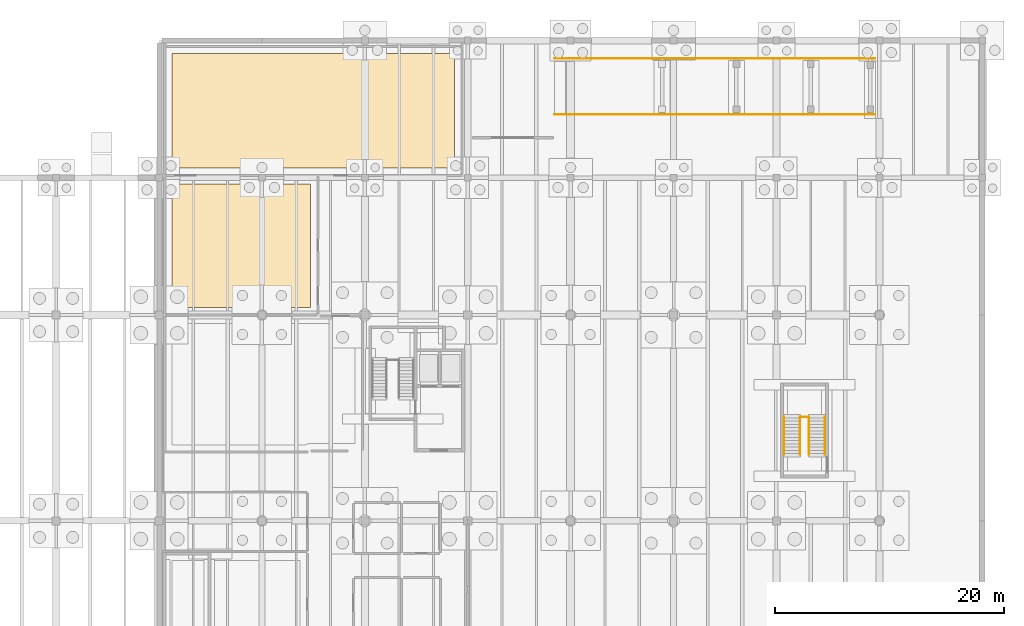
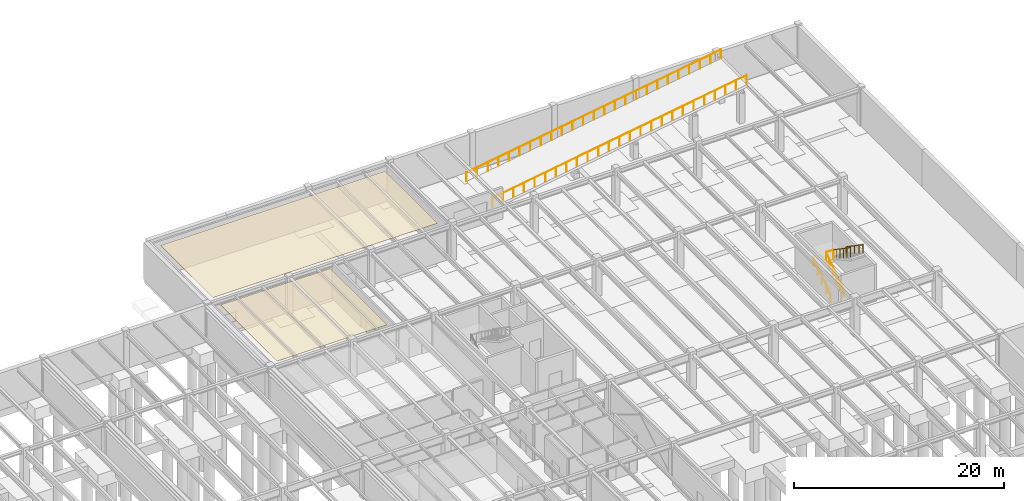
# One storey, part 39 of 40: 7 railings, 2 coverings.
"""IFC4 building model written with IfcOpenShell, lengths in metres."""

from ifc_helpers import new_model, si_unit, direction, frame, origin, origin_2d, place, context, subcontext, project, spatial, polyline, circle, outline, extrude, material, layer, layer_set, type_object, element, save


model = new_model("IFC4")

# Units and contexts
model_context = context("Model", 3, precision=1e-05, world=origin(), true_north=direction((0.0, 1.0)))
body_context = subcontext(model_context, "Body", "Model", "MODEL_VIEW")
ifc_project = project(units=[si_unit("LENGTHUNIT", "METRE"), si_unit("AREAUNIT", "SQUARE_METRE"), si_unit("VOLUMEUNIT", "CUBIC_METRE"), si_unit("PLANEANGLEUNIT", "RADIAN"), si_unit("MASSUNIT", "GRAM", prefix="KILO")], contexts=[model_context])

# Site, building, storey
site_placement = place(None, origin())
site = spatial("IfcSite", under=ifc_project, at=site_placement, CompositionType="ELEMENT")
building_placement = place(site_placement, origin())
building = spatial("IfcBuilding", under=site, at=building_placement, Name="Montelvaro Courts of Justice", CompositionType="ELEMENT")
storey_placement = place(building_placement, frame((0.0, 0.0, -4.5)))
storey = spatial("IfcBuildingStorey", under=building, at=storey_placement, Name="B01", CompositionType="ELEMENT", Elevation=-4.5)

# Coverings
ifc_material_1 = material(Name="Perforated acoustic gypsum ceiling")
ifc_layer = layer(ifc_material_1, 0.0400390625)
ifc_layer_set = layer_set([ifc_layer], Name="Perforated acoustic gypsum ceiling")
covering_type = type_object("IfcCoveringType", Name="AcousticCeiling_Court", PredefinedType="CEILING", material=ifc_layer_set)
covering_1_placement = place(storey_placement, frame((0.0, 0.0, 4.02001953125)))
element("IfcCovering", 1, at=covering_1_placement, inside=storey, type_object=covering_type, Name="Acoustic Ceiling Panel AC-01 (B01-08)", PredefinedType="CEILING", context=body_context, shape_type="SweptSolid", body=[
    extrude(outline(polyline([(100.14990234375, 108.85009765625), (100.14990234375, 118.85009765625), (124.85009765625, 118.85009765625), (124.85009765625, 108.85009765625), (100.14990234375, 108.85009765625)])), origin(), (0.0, 0.0, 1.0), 0.0400390625),
])
covering_2_placement = place(storey_placement, frame((0.0, 0.0, 4.02001953125)))
element("IfcCovering", 2, at=covering_2_placement, inside=storey, type_object=covering_type, Name="Acoustic Ceiling Panel AC-01 (B01-10)", PredefinedType="CEILING", context=body_context, shape_type="SweptSolid", body=[
    extrude(outline(polyline([(112.25, 107.449951171875), (112.25, 96.64990234375), (100.14990234375, 96.64990234375), (100.14990234375, 107.449951171875), (112.25, 107.449951171875)])), origin(), (0.0, 0.0, 1.0), 0.0400390625),
])

# Railings
ifc_material_2 = material(Name="Steel S355", Category="steel")
railing_type_1 = type_object("IfcRailingType", Name="InteriorGuard_1100", PredefinedType="BALUSTRADE", material=ifc_material_2)
railing_1_placement = place(storey_placement, frame((155.06005859375, 83.800048828125, 0.0)))
element("IfcRailing", 3, at=railing_1_placement, inside=storey, type_object=railing_type_1, Name="Stair Well Guard GR-02 ST-V2-B01-F1G", PredefinedType="BALUSTRADE", context=body_context, shape_type="SweptSolid", body=[
    extrude(circle(Radius=0.02392578125, at=origin_2d()), frame((0.0, 0.0, 1.076171875), z_axis=(0.0, 0.823407228882, 0.567450910146), x_axis=(-1.0, 0.0, 0.0)), (0.0, 0.0, 1.0), 3.965087890625),
    extrude(circle(Radius=0.02099609375, at=origin_2d()), origin(), (0.0, 0.0, 1.0), 1.052001953125),
    extrude(circle(Radius=0.02099609375, at=origin_2d()), frame((0.0, 0.653076171875, 0.449951171875)), (0.0, 0.0, 1.0), 1.052001953125),
    extrude(circle(Radius=0.02099609375, at=origin_2d()), frame((0.0, 1.305908203125, 0.89990234375)), (0.0, 0.0, 1.0), 1.052001953125),
    extrude(circle(Radius=0.02099609375, at=origin_2d()), frame((0.0, 1.958984375, 1.35009765625)), (0.0, 0.0, 1.0), 1.052001953125),
    extrude(circle(Radius=0.02099609375, at=origin_2d()), frame((0.0, 2.61181640625, 1.800048828125)), (0.0, 0.0, 1.0), 1.052001953125),
    extrude(circle(Radius=0.02099609375, at=origin_2d()), frame((0.0, 3.264892578125, 2.25)), (0.0, 0.0, 1.0), 1.052001953125),
])
railing_2_placement = place(storey_placement, frame((155.840087890625, 87.06494140625, 2.25)))
element("IfcRailing", 4, at=railing_2_placement, inside=storey, type_object=railing_type_1, Name="Stair Well Guard GR-02 ST-V2-B01-F2G", PredefinedType="BALUSTRADE", context=body_context, shape_type="SweptSolid", body=[
    extrude(circle(Radius=0.02392578125, at=origin_2d()), frame((0.0, 0.0, 1.076171875), z_axis=(0.0, -0.823407228882, 0.567450910146), x_axis=(1.0, 0.0, 0.0)), (0.0, 0.0, 1.0), 3.965087890625),
    extrude(circle(Radius=0.02099609375, at=origin_2d()), origin(), (0.0, 0.0, 1.0), 1.052001953125),
    extrude(circle(Radius=0.02099609375, at=origin_2d()), frame((0.0, -0.653076171875, 0.449951171875)), (0.0, 0.0, 1.0), 1.052001953125),
    extrude(circle(Radius=0.02099609375, at=origin_2d()), frame((0.0, -1.305908203125, 0.89990234375)), (0.0, 0.0, 1.0), 1.052001953125),
    extrude(circle(Radius=0.02099609375, at=origin_2d()), frame((0.0, -1.958984375, 1.35009765625)), (0.0, 0.0, 1.0), 1.052001953125),
    extrude(circle(Radius=0.02099609375, at=origin_2d()), frame((0.0, -2.61181640625, 1.800048828125)), (0.0, 0.0, 1.0), 1.052001953125),
    extrude(circle(Radius=0.02099609375, at=origin_2d()), frame((0.0, -3.264892578125, 2.25)), (0.0, 0.0, 1.0), 1.052001953125),
])
railing_3_placement = place(storey_placement, frame((155.06005859375, 87.06494140625, 2.25)))
element("IfcRailing", 5, at=railing_3_placement, inside=storey, type_object=railing_type_1, Name="Stair Well Guard GR-02 ST-V2-B01-MLG", PredefinedType="BALUSTRADE", context=body_context, shape_type="SweptSolid", body=[
    extrude(circle(Radius=0.02392578125, at=origin_2d()), frame((0.0, 0.0, 1.076171875), z_axis=(1.0, 0.0, 0.0), x_axis=(0.0, 1.0, 0.0)), (0.0, 0.0, 1.0), 0.780029296875),
    extrude(circle(Radius=0.02099609375, at=origin_2d()), origin(), (0.0, 0.0, 1.0), 1.052001953125),
    extrude(circle(Radius=0.02099609375, at=origin_2d()), frame((0.780029296875, 0.0, 0.0)), (0.0, 0.0, 1.0), 1.052001953125),
])
railing_4_placement = place(storey_placement, frame((133.60009765625, 113.550048828125, 0.0)))
element("IfcRailing", 6, at=railing_4_placement, inside=storey, type_object=railing_type_1, Name="Vehicle Ramp Guard GR-02 VR-01-S", PredefinedType="BALUSTRADE", context=body_context, shape_type="SweptSolid", body=[
    extrude(circle(Radius=0.02392578125, at=origin_2d()), frame((0.0, 0.0, 1.076171875), z_axis=(0.987330371277, 0.0, 0.158678095384), x_axis=(0.0, 1.0, 0.0)), (0.0, 0.0, 1.0), 28.359375),
    extrude(circle(Radius=0.02099609375, at=origin_2d()), origin(), (0.0, 0.0, 1.0), 1.052001953125),
    extrude(circle(Radius=0.02099609375, at=origin_2d()), frame((1.166748046875, 0.0, 0.1875)), (0.0, 0.0, 1.0), 1.052001953125),
    extrude(circle(Radius=0.02099609375, at=origin_2d()), frame((2.333251953125, 0.0, 0.375)), (0.0, 0.0, 1.0), 1.052001953125),
    extrude(circle(Radius=0.02099609375, at=origin_2d()), frame((3.5, 0.0, 0.5625)), (0.0, 0.0, 1.0), 1.052001953125),
    extrude(circle(Radius=0.02099609375, at=origin_2d()), frame((4.666748046875, 0.0, 0.75)), (0.0, 0.0, 1.0), 1.052001953125),
    extrude(circle(Radius=0.02099609375, at=origin_2d()), frame((5.833251953125, 0.0, 0.9375)), (0.0, 0.0, 1.0), 1.052001953125),
    extrude(circle(Radius=0.02099609375, at=origin_2d()), frame((7.0, 0.0, 1.125)), (0.0, 0.0, 1.0), 1.052001953125),
    extrude(circle(Radius=0.02099609375, at=origin_2d()), frame((8.166748046875, 0.0, 1.3125)), (0.0, 0.0, 1.0), 1.052001953125),
    extrude(circle(Radius=0.02099609375, at=origin_2d()), frame((9.333251953125, 0.0, 1.5)), (0.0, 0.0, 1.0), 1.052001953125),
    extrude(circle(Radius=0.02099609375, at=origin_2d()), frame((10.5, 0.0, 1.6875)), (0.0, 0.0, 1.0), 1.052001953125),
    extrude(circle(Radius=0.02099609375, at=origin_2d()), frame((11.666748046875, 0.0, 1.875)), (0.0, 0.0, 1.0), 1.052001953125),
    extrude(circle(Radius=0.02099609375, at=origin_2d()), frame((12.833251953125, 0.0, 2.0625)), (0.0, 0.0, 1.0), 1.052001953125),
    extrude(circle(Radius=0.02099609375, at=origin_2d()), frame((14.0, 0.0, 2.25)), (0.0, 0.0, 1.0), 1.052001953125),
    extrude(circle(Radius=0.02099609375, at=origin_2d()), frame((15.166748046875, 0.0, 2.4375)), (0.0, 0.0, 1.0), 1.052001953125),
    extrude(circle(Radius=0.02099609375, at=origin_2d()), frame((16.333251953125, 0.0, 2.625)), (0.0, 0.0, 1.0), 1.052001953125),
    extrude(circle(Radius=0.02099609375, at=origin_2d()), frame((17.5, 0.0, 2.8125)), (0.0, 0.0, 1.0), 1.052001953125),
    extrude(circle(Radius=0.02099609375, at=origin_2d()), frame((18.666748046875, 0.0, 3.0)), (0.0, 0.0, 1.0), 1.052001953125),
    extrude(circle(Radius=0.02099609375, at=origin_2d()), frame((19.833251953125, 0.0, 3.1875)), (0.0, 0.0, 1.0), 1.052001953125),
    extrude(circle(Radius=0.02099609375, at=origin_2d()), frame((21.0, 0.0, 3.375)), (0.0, 0.0, 1.0), 1.052001953125),
    extrude(circle(Radius=0.02099609375, at=origin_2d()), frame((22.166748046875, 0.0, 3.5625)), (0.0, 0.0, 1.0), 1.052001953125),
    extrude(circle(Radius=0.02099609375, at=origin_2d()), frame((23.333251953125, 0.0, 3.75)), (0.0, 0.0, 1.0), 1.052001953125),
    extrude(circle(Radius=0.02099609375, at=origin_2d()), frame((24.5, 0.0, 3.9375)), (0.0, 0.0, 1.0), 1.052001953125),
    extrude(circle(Radius=0.02099609375, at=origin_2d()), frame((25.666748046875, 0.0, 4.125)), (0.0, 0.0, 1.0), 1.052001953125),
    extrude(circle(Radius=0.02099609375, at=origin_2d()), frame((26.833251953125, 0.0, 4.3125)), (0.0, 0.0, 1.0), 1.052001953125),
    extrude(circle(Radius=0.02099609375, at=origin_2d()), frame((28.0, 0.0, 4.5)), (0.0, 0.0, 1.0), 1.052001953125),
])
railing_5_placement = place(storey_placement, frame((133.60009765625, 118.449951171875, 0.0)))
element("IfcRailing", 7, at=railing_5_placement, inside=storey, type_object=railing_type_1, Name="Vehicle Ramp Guard GR-02 VR-01-N", PredefinedType="BALUSTRADE", context=body_context, shape_type="SweptSolid", body=[
    extrude(circle(Radius=0.02392578125, at=origin_2d()), frame((0.0, 0.0, 1.076171875), z_axis=(0.987330371277, 0.0, 0.158678095384), x_axis=(0.0, 1.0, 0.0)), (0.0, 0.0, 1.0), 28.359375),
    extrude(circle(Radius=0.02099609375, at=origin_2d()), origin(), (0.0, 0.0, 1.0), 1.052001953125),
    extrude(circle(Radius=0.02099609375, at=origin_2d()), frame((1.166748046875, 0.0, 0.1875)), (0.0, 0.0, 1.0), 1.052001953125),
    extrude(circle(Radius=0.02099609375, at=origin_2d()), frame((2.333251953125, 0.0, 0.375)), (0.0, 0.0, 1.0), 1.052001953125),
    extrude(circle(Radius=0.02099609375, at=origin_2d()), frame((3.5, 0.0, 0.5625)), (0.0, 0.0, 1.0), 1.052001953125),
    extrude(circle(Radius=0.02099609375, at=origin_2d()), frame((4.666748046875, 0.0, 0.75)), (0.0, 0.0, 1.0), 1.052001953125),
    extrude(circle(Radius=0.02099609375, at=origin_2d()), frame((5.833251953125, 0.0, 0.9375)), (0.0, 0.0, 1.0), 1.052001953125),
    extrude(circle(Radius=0.02099609375, at=origin_2d()), frame((7.0, 0.0, 1.125)), (0.0, 0.0, 1.0), 1.052001953125),
    extrude(circle(Radius=0.02099609375, at=origin_2d()), frame((8.166748046875, 0.0, 1.3125)), (0.0, 0.0, 1.0), 1.052001953125),
    extrude(circle(Radius=0.02099609375, at=origin_2d()), frame((9.333251953125, 0.0, 1.5)), (0.0, 0.0, 1.0), 1.052001953125),
    extrude(circle(Radius=0.02099609375, at=origin_2d()), frame((10.5, 0.0, 1.6875)), (0.0, 0.0, 1.0), 1.052001953125),
    extrude(circle(Radius=0.02099609375, at=origin_2d()), frame((11.666748046875, 0.0, 1.875)), (0.0, 0.0, 1.0), 1.052001953125),
    extrude(circle(Radius=0.02099609375, at=origin_2d()), frame((12.833251953125, 0.0, 2.0625)), (0.0, 0.0, 1.0), 1.052001953125),
    extrude(circle(Radius=0.02099609375, at=origin_2d()), frame((14.0, 0.0, 2.25)), (0.0, 0.0, 1.0), 1.052001953125),
    extrude(circle(Radius=0.02099609375, at=origin_2d()), frame((15.166748046875, 0.0, 2.4375)), (0.0, 0.0, 1.0), 1.052001953125),
    extrude(circle(Radius=0.02099609375, at=origin_2d()), frame((16.333251953125, 0.0, 2.625)), (0.0, 0.0, 1.0), 1.052001953125),
    extrude(circle(Radius=0.02099609375, at=origin_2d()), frame((17.5, 0.0, 2.8125)), (0.0, 0.0, 1.0), 1.052001953125),
    extrude(circle(Radius=0.02099609375, at=origin_2d()), frame((18.666748046875, 0.0, 3.0)), (0.0, 0.0, 1.0), 1.052001953125),
    extrude(circle(Radius=0.02099609375, at=origin_2d()), frame((19.833251953125, 0.0, 3.1875)), (0.0, 0.0, 1.0), 1.052001953125),
    extrude(circle(Radius=0.02099609375, at=origin_2d()), frame((21.0, 0.0, 3.375)), (0.0, 0.0, 1.0), 1.052001953125),
    extrude(circle(Radius=0.02099609375, at=origin_2d()), frame((22.166748046875, 0.0, 3.5625)), (0.0, 0.0, 1.0), 1.052001953125),
    extrude(circle(Radius=0.02099609375, at=origin_2d()), frame((23.333251953125, 0.0, 3.75)), (0.0, 0.0, 1.0), 1.052001953125),
    extrude(circle(Radius=0.02099609375, at=origin_2d()), frame((24.5, 0.0, 3.9375)), (0.0, 0.0, 1.0), 1.052001953125),
    extrude(circle(Radius=0.02099609375, at=origin_2d()), frame((25.666748046875, 0.0, 4.125)), (0.0, 0.0, 1.0), 1.052001953125),
    extrude(circle(Radius=0.02099609375, at=origin_2d()), frame((26.833251953125, 0.0, 4.3125)), (0.0, 0.0, 1.0), 1.052001953125),
    extrude(circle(Radius=0.02099609375, at=origin_2d()), frame((28.0, 0.0, 4.5)), (0.0, 0.0, 1.0), 1.052001953125),
])
ifc_material_3 = material(Name="Austenitic stainless steel EN 1.4401", Category="steel")
railing_type_2 = type_object("IfcRailingType", Name="StairHandrail_950", PredefinedType="HANDRAIL", material=ifc_material_3)
railing_6_placement = place(storey_placement, frame((153.659912109375, 83.800048828125, 0.0)))
element("IfcRailing", 8, at=railing_6_placement, inside=storey, type_object=railing_type_2, Name="Stair Pitch Handrail HR-01 ST-V2-B01-F1H", PredefinedType="HANDRAIL", context=body_context, shape_type="SweptSolid", body=[
    extrude(circle(Radius=0.02392578125, at=origin_2d()), frame((0.0, 0.0, 0.92578125), z_axis=(0.0, 0.823407228882, 0.567450910146), x_axis=(-1.0, 0.0, 0.0)), (0.0, 0.0, 1.0), 3.965087890625),
    extrude(circle(Radius=0.02099609375, at=origin_2d()), origin(), (0.0, 0.0, 1.0), 0.90185546875),
    extrude(circle(Radius=0.02099609375, at=origin_2d()), frame((0.0, 0.816162109375, 0.5625)), (0.0, 0.0, 1.0), 0.90185546875),
    extrude(circle(Radius=0.02099609375, at=origin_2d()), frame((0.0, 1.63232421875, 1.125)), (0.0, 0.0, 1.0), 0.90185546875),
    extrude(circle(Radius=0.02099609375, at=origin_2d()), frame((0.0, 2.44873046875, 1.6875)), (0.0, 0.0, 1.0), 0.90185546875),
    extrude(circle(Radius=0.02099609375, at=origin_2d()), frame((0.0, 3.264892578125, 2.25)), (0.0, 0.0, 1.0), 0.90185546875),
])
railing_7_placement = place(storey_placement, frame((157.239990234375, 87.06494140625, 2.25)))
element("IfcRailing", 9, at=railing_7_placement, inside=storey, type_object=railing_type_2, Name="Stair Pitch Handrail HR-01 ST-V2-B01-F2H", PredefinedType="HANDRAIL", context=body_context, shape_type="SweptSolid", body=[
    extrude(circle(Radius=0.02392578125, at=origin_2d()), frame((0.0, 0.0, 0.92578125), z_axis=(0.0, -0.823407228882, 0.567450910146), x_axis=(1.0, 0.0, 0.0)), (0.0, 0.0, 1.0), 3.965087890625),
    extrude(circle(Radius=0.02099609375, at=origin_2d()), origin(), (0.0, 0.0, 1.0), 0.90185546875),
    extrude(circle(Radius=0.02099609375, at=origin_2d()), frame((0.0, -0.816162109375, 0.5625)), (0.0, 0.0, 1.0), 0.90185546875),
    extrude(circle(Radius=0.02099609375, at=origin_2d()), frame((0.0, -1.63232421875, 1.125)), (0.0, 0.0, 1.0), 0.90185546875),
    extrude(circle(Radius=0.02099609375, at=origin_2d()), frame((0.0, -2.44873046875, 1.6875)), (0.0, 0.0, 1.0), 0.90185546875),
    extrude(circle(Radius=0.02099609375, at=origin_2d()), frame((0.0, -3.264892578125, 2.25)), (0.0, 0.0, 1.0), 0.90185546875),
])

save(model, "model.ifc")
